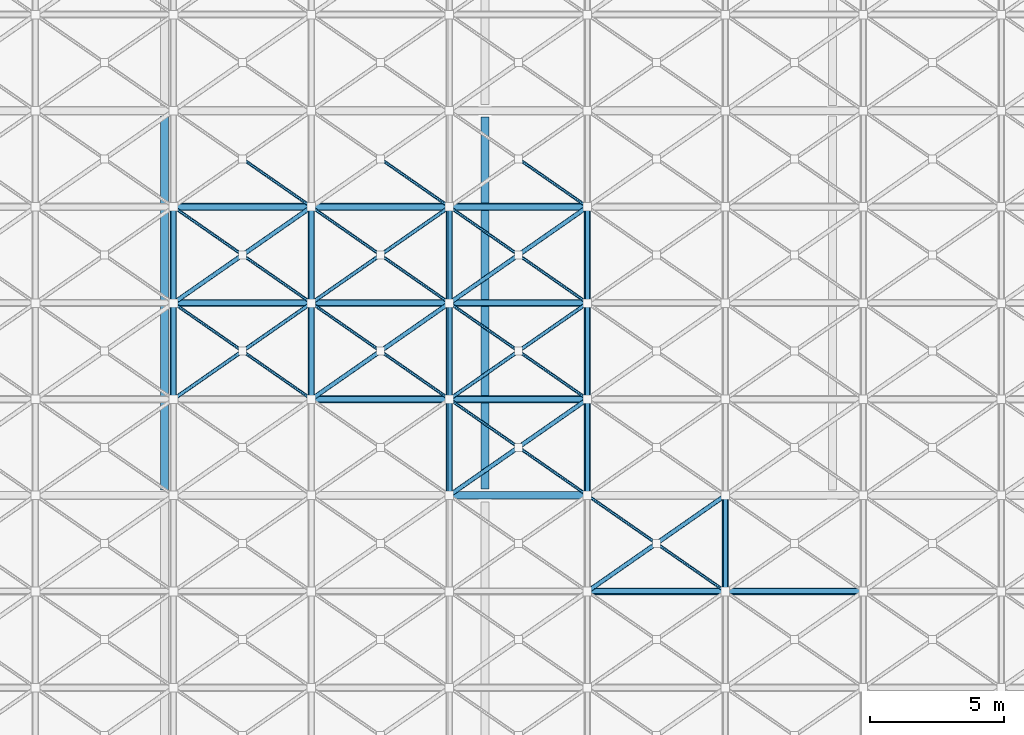
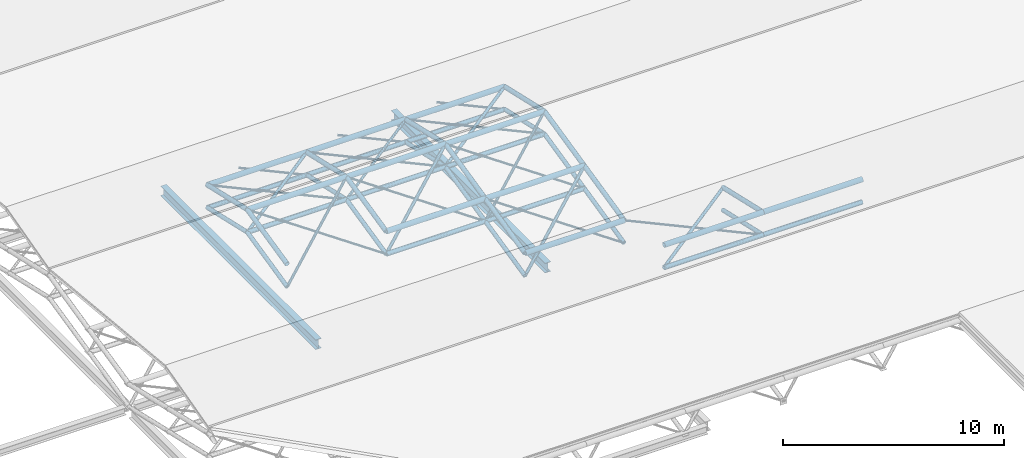
# One storey, part 38 of 110: 70 members, 2 beams.
"""IFC4 building model written with IfcOpenShell, lengths in metres."""

from ifc_helpers import new_model, si_unit, direction, frame, origin, origin_2d, place, context, subcontext, project, spatial, hollow_circle, i_section, extrude, material, material_profile, profile_set, type_object, element, save


model = new_model("IFC4")

# Units and contexts
model_context = context("Model", 3, precision=1e-05, world=origin(), true_north=direction((0.0, 1.0)))
body_context = subcontext(model_context, "Body", "Model", "MODEL_VIEW")
ifc_project = project(units=[si_unit("LENGTHUNIT", "METRE"), si_unit("AREAUNIT", "SQUARE_METRE"), si_unit("VOLUMEUNIT", "CUBIC_METRE"), si_unit("PLANEANGLEUNIT", "RADIAN"), si_unit("MASSUNIT", "GRAM", prefix="KILO")], contexts=[model_context])

# Site, building, storey
site_placement = place(None, origin())
site = spatial("IfcSite", under=ifc_project, at=site_placement, CompositionType="ELEMENT")
building_placement = place(site_placement, origin())
building = spatial("IfcBuilding", under=site, at=building_placement, Name="Tamarisk Ironworks Central Station", CompositionType="ELEMENT")
storey_placement = place(building_placement, frame((0.0, 0.0, 17.39990234375)))
storey = spatial("IfcBuildingStorey", under=building, at=storey_placement, Name="L03", CompositionType="ELEMENT", Elevation=17.39990234375)

# Beams
ifc_material_1 = material(Name="Structural steel S355J2", Category="steel")
ifc_material_profile_1 = material_profile(ifc_material_1, i_section(OverallWidth=0.300048828125, OverallDepth=0.5400390625, WebThickness=0.012451171875, FlangeThickness=0.02392578125, at=origin_2d()), Name="HEA 550")
ifc_profile_set_1 = profile_set([ifc_material_profile_1], Name="Structural steel S355J2")
beam_type = type_object("IfcBeamType", Name="BM-G04", PredefinedType="BEAM", material=ifc_profile_set_1)
beam_1_placement = place(storey_placement, frame((128.0, 36.191162109375, -1.869873046875), z_axis=(0.0, 1.0, 0.0), x_axis=(-1.0, 0.0, 0.0)))
element("IfcBeam", 1, at=beam_1_placement, inside=storey, type_object=beam_type, Name="L03 primary girder Y-0611", PredefinedType="BEAM", context=body_context, shape_type="SweptSolid", body=[
    extrude(i_section(OverallWidth=0.300048828125, OverallDepth=0.5400390625, WebThickness=0.012451171875, FlangeThickness=0.02392578125, at=origin_2d()), origin(), (0.0, 0.0, 1.0), 14.017578125),
])
beam_2_placement = place(storey_placement, frame((140.0, 36.241943359375, -1.869873046875), z_axis=(0.0, 1.0, 0.0), x_axis=(-1.0, 0.0, 0.0)))
element("IfcBeam", 2, at=beam_2_placement, inside=storey, type_object=beam_type, Name="L03 primary girder Y-0614", PredefinedType="BEAM", context=body_context, shape_type="SweptSolid", body=[
    extrude(i_section(OverallWidth=0.300048828125, OverallDepth=0.5400390625, WebThickness=0.012451171875, FlangeThickness=0.02392578125, at=origin_2d()), origin(), (0.0, 0.0, 1.0), 13.916015625),
])

# Members
ifc_material_2 = material(Name="Structural steel S355J2H", Category="steel")
ifc_material_profile_2 = material_profile(ifc_material_2, hollow_circle(Radius=0.136474609375, WallThickness=0.012451171875, at=origin_2d()), Name="CHS 273x12.5")
ifc_profile_set_2 = profile_set([ifc_material_profile_2], Name="Structural steel S355J2H")
member_type_1 = type_object("IfcMemberType", Name="MB-SFC01", PredefinedType="CHORD", material=ifc_profile_set_2)
for number, where, z_axis, x_axis, name in (
    (3, (143.833251953125, 32.39990234375, 0.35498046875), (1.0, 0.0, 0.0), (0.0, 1.0, 0.0), "Train shed space-frame top chord 1092"),
    (4, (149.0, 32.39990234375, 0.35498046875), (1.0, 0.0, 0.0), (0.0, 1.0, 0.0), "Train shed space-frame top chord 1093"),
):
    element("IfcMember", number, at=place(storey_placement, frame(where, z_axis=z_axis, x_axis=x_axis)), inside=storey, type_object=member_type_1, Name=name, PredefinedType="CHORD", context=body_context, shape_type="SweptSolid", body=[
        extrude(hollow_circle(Radius=0.136474609375, WallThickness=0.012451171875, at=origin_2d()), origin(), (0.0, 0.0, 1.0), 5.166748046875),
    ])
member_1_placement = place(storey_placement, frame((138.666748046875, 36.0, -0.469970703125), z_axis=(1.0, 0.0, 0.0), x_axis=(0.0, 1.0, 0.0)))
element("IfcMember", 5, at=member_1_placement, inside=storey, type_object=member_type_1, Name="Train shed space-frame top chord 1103", PredefinedType="CHORD", context=body_context, shape_type="SweptSolid", body=[
    extrude(hollow_circle(Radius=0.136474609375, WallThickness=0.012451171875, at=origin_2d()), origin(), (0.0, 0.0, 1.0), 5.16650390625),
])
member_2_placement = place(storey_placement, frame((133.5, 39.60009765625, 0.35498046875), z_axis=(1.0, 0.0, 0.0), x_axis=(0.0, 1.0, 0.0)))
element("IfcMember", 6, at=member_2_placement, inside=storey, type_object=member_type_1, Name="Train shed space-frame top chord 1350", PredefinedType="CHORD", context=body_context, shape_type="SweptSolid", body=[
    extrude(hollow_circle(Radius=0.136474609375, WallThickness=0.012451171875, at=origin_2d()), origin(), (0.0, 0.0, 1.0), 5.166748046875),
])
member_3_placement = place(storey_placement, frame((138.666748046875, 39.60009765625, 0.35498046875), z_axis=(1.0, 0.0, 0.0), x_axis=(0.0, 1.0, 0.0)))
element("IfcMember", 7, at=member_3_placement, inside=storey, type_object=member_type_1, Name="Train shed space-frame top chord 1351", PredefinedType="CHORD", context=body_context, shape_type="SweptSolid", body=[
    extrude(hollow_circle(Radius=0.136474609375, WallThickness=0.012451171875, at=origin_2d()), origin(), (0.0, 0.0, 1.0), 5.16650390625),
])
for number, where, z_axis, x_axis, name in (
    (8, (128.333251953125, 43.199951171875, 1.18017578125), (1.0, 0.0, 0.0), (0.0, 1.0, 0.0), "Train shed space-frame top chord 1361"),
    (9, (133.5, 43.199951171875, 1.18017578125), (1.0, 0.0, 0.0), (0.0, 1.0, 0.0), "Train shed space-frame top chord 1362"),
):
    element("IfcMember", number, at=place(storey_placement, frame(where, z_axis=z_axis, x_axis=x_axis)), inside=storey, type_object=member_type_1, Name=name, PredefinedType="CHORD", context=body_context, shape_type="SweptSolid", body=[
        extrude(hollow_circle(Radius=0.136474609375, WallThickness=0.012451171875, at=origin_2d()), origin(), (0.0, 0.0, 1.0), 5.166748046875),
    ])
member_4_placement = place(storey_placement, frame((138.666748046875, 43.199951171875, 1.18017578125), z_axis=(1.0, 0.0, 0.0), x_axis=(0.0, 1.0, 0.0)))
element("IfcMember", 10, at=member_4_placement, inside=storey, type_object=member_type_1, Name="Train shed space-frame top chord 1363", PredefinedType="CHORD", context=body_context, shape_type="SweptSolid", body=[
    extrude(hollow_circle(Radius=0.136474609375, WallThickness=0.012451171875, at=origin_2d()), origin(), (0.0, 0.0, 1.0), 5.16650390625),
])
for number, where, z_axis, x_axis, name in (
    (11, (128.333251953125, 46.800048828125, 0.35498046875), (1.0, 0.0, 0.0), (0.0, 1.0, 0.0), "Train shed space-frame top chord 1373"),
    (12, (133.5, 46.800048828125, 0.35498046875), (1.0, 0.0, 0.0), (0.0, 1.0, 0.0), "Train shed space-frame top chord 1374"),
):
    element("IfcMember", number, at=place(storey_placement, frame(where, z_axis=z_axis, x_axis=x_axis)), inside=storey, type_object=member_type_1, Name=name, PredefinedType="CHORD", context=body_context, shape_type="SweptSolid", body=[
        extrude(hollow_circle(Radius=0.136474609375, WallThickness=0.012451171875, at=origin_2d()), origin(), (0.0, 0.0, 1.0), 5.166748046875),
    ])
member_5_placement = place(storey_placement, frame((138.666748046875, 46.800048828125, 0.35498046875), z_axis=(1.0, 0.0, 0.0), x_axis=(0.0, 1.0, 0.0)))
element("IfcMember", 13, at=member_5_placement, inside=storey, type_object=member_type_1, Name="Train shed space-frame top chord 1375", PredefinedType="CHORD", context=body_context, shape_type="SweptSolid", body=[
    extrude(hollow_circle(Radius=0.136474609375, WallThickness=0.012451171875, at=origin_2d()), origin(), (0.0, 0.0, 1.0), 5.16650390625),
])
ifc_material_profile_3 = material_profile(ifc_material_2, hollow_circle(Radius=0.122314453125, WallThickness=0.012451171875, at=origin_2d()), Name="CHS 244.5x12.5")
ifc_profile_set_3 = profile_set([ifc_material_profile_3], Name="Structural steel S355J2H")
member_type_2 = type_object("IfcMemberType", Name="MB-SFC02", PredefinedType="CHORD", material=ifc_profile_set_3)
for number, where, z_axis, x_axis, name in (
    (14, (143.833251953125, 32.39990234375, -0.89501953125), (1.0, 0.0, 0.0), (0.0, 1.0, 0.0), "Train shed space-frame bottom chord 0992"),
    (15, (149.0, 32.39990234375, -0.89501953125), (1.0, 0.0, 0.0), (0.0, 1.0, 0.0), "Train shed space-frame bottom chord 0993"),
):
    element("IfcMember", number, at=place(storey_placement, frame(where, z_axis=z_axis, x_axis=x_axis)), inside=storey, type_object=member_type_2, Name=name, PredefinedType="CHORD", context=body_context, shape_type="SweptSolid", body=[
        extrude(hollow_circle(Radius=0.122314453125, WallThickness=0.012451171875, at=origin_2d()), origin(), (0.0, 0.0, 1.0), 5.166748046875),
    ])
member_6_placement = place(storey_placement, frame((149.0, 32.39990234375, 0.35498046875), z_axis=(0.0, 0.974736516158, -0.223357838607), x_axis=(-1.0, 0.0, 0.0)))
element("IfcMember", 16, at=member_6_placement, inside=storey, type_object=member_type_2, Name="Train shed space-frame top transverse chord 1138", PredefinedType="CHORD", context=body_context, shape_type="SweptSolid", body=[
    extrude(hollow_circle(Radius=0.122314453125, WallThickness=0.012451171875, at=origin_2d()), origin(), (0.0, 0.0, 1.0), 3.693359375),
])
member_7_placement = place(storey_placement, frame((133.5, 39.60009765625, -0.89501953125), z_axis=(1.0, 0.0, 0.0), x_axis=(0.0, 1.0, 0.0)))
element("IfcMember", 17, at=member_7_placement, inside=storey, type_object=member_type_2, Name="Train shed space-frame bottom chord 1262", PredefinedType="CHORD", context=body_context, shape_type="SweptSolid", body=[
    extrude(hollow_circle(Radius=0.122314453125, WallThickness=0.012451171875, at=origin_2d()), origin(), (0.0, 0.0, 1.0), 5.166748046875),
])
member_8_placement = place(storey_placement, frame((138.666748046875, 39.60009765625, -0.89501953125), z_axis=(1.0, 0.0, 0.0), x_axis=(0.0, 1.0, 0.0)))
element("IfcMember", 18, at=member_8_placement, inside=storey, type_object=member_type_2, Name="Train shed space-frame bottom chord 1263", PredefinedType="CHORD", context=body_context, shape_type="SweptSolid", body=[
    extrude(hollow_circle(Radius=0.122314453125, WallThickness=0.012451171875, at=origin_2d()), origin(), (0.0, 0.0, 1.0), 5.16650390625),
])
for number, where, z_axis, x_axis, name in (
    (19, (128.333251953125, 43.199951171875, -0.06982421875), (1.0, 0.0, 0.0), (0.0, 1.0, 0.0), "Train shed space-frame bottom chord 1273"),
    (20, (133.5, 43.199951171875, -0.06982421875), (1.0, 0.0, 0.0), (0.0, 1.0, 0.0), "Train shed space-frame bottom chord 1274"),
):
    element("IfcMember", number, at=place(storey_placement, frame(where, z_axis=z_axis, x_axis=x_axis)), inside=storey, type_object=member_type_2, Name=name, PredefinedType="CHORD", context=body_context, shape_type="SweptSolid", body=[
        extrude(hollow_circle(Radius=0.122314453125, WallThickness=0.012451171875, at=origin_2d()), origin(), (0.0, 0.0, 1.0), 5.166748046875),
    ])
member_9_placement = place(storey_placement, frame((138.666748046875, 43.199951171875, -0.06982421875), z_axis=(1.0, 0.0, 0.0), x_axis=(0.0, 1.0, 0.0)))
element("IfcMember", 21, at=member_9_placement, inside=storey, type_object=member_type_2, Name="Train shed space-frame bottom chord 1275", PredefinedType="CHORD", context=body_context, shape_type="SweptSolid", body=[
    extrude(hollow_circle(Radius=0.122314453125, WallThickness=0.012451171875, at=origin_2d()), origin(), (0.0, 0.0, 1.0), 5.16650390625),
])
for number, where, z_axis, x_axis, name in (
    (22, (128.333251953125, 46.800048828125, -0.89501953125), (1.0, 0.0, 0.0), (0.0, 1.0, 0.0), "Train shed space-frame bottom chord 1285"),
    (23, (133.5, 46.800048828125, -0.89501953125), (1.0, 0.0, 0.0), (0.0, 1.0, 0.0), "Train shed space-frame bottom chord 1286"),
):
    element("IfcMember", number, at=place(storey_placement, frame(where, z_axis=z_axis, x_axis=x_axis)), inside=storey, type_object=member_type_2, Name=name, PredefinedType="CHORD", context=body_context, shape_type="SweptSolid", body=[
        extrude(hollow_circle(Radius=0.122314453125, WallThickness=0.012451171875, at=origin_2d()), origin(), (0.0, 0.0, 1.0), 5.166748046875),
    ])
member_10_placement = place(storey_placement, frame((138.666748046875, 46.800048828125, -0.89501953125), z_axis=(1.0, 0.0, 0.0), x_axis=(0.0, 1.0, 0.0)))
element("IfcMember", 24, at=member_10_placement, inside=storey, type_object=member_type_2, Name="Train shed space-frame bottom chord 1287", PredefinedType="CHORD", context=body_context, shape_type="SweptSolid", body=[
    extrude(hollow_circle(Radius=0.122314453125, WallThickness=0.012451171875, at=origin_2d()), origin(), (0.0, 0.0, 1.0), 5.16650390625),
])
member_11_placement = place(storey_placement, frame((128.333251953125, 39.60009765625, 0.35498046875), z_axis=(0.0, 0.974718823144, 0.223435037113), x_axis=(-1.0, 0.0, 0.0)))
element("IfcMember", 25, at=member_11_placement, inside=storey, type_object=member_type_2, Name="Train shed space-frame top transverse chord 1404", PredefinedType="CHORD", context=body_context, shape_type="SweptSolid", body=[
    extrude(hollow_circle(Radius=0.122314453125, WallThickness=0.012451171875, at=origin_2d()), origin(), (0.0, 0.0, 1.0), 3.693115234375),
])
member_12_placement = place(storey_placement, frame((128.333251953125, 43.199951171875, 1.18017578125), z_axis=(0.0, 0.974722123001, -0.223420641241), x_axis=(-1.0, 0.0, 0.0)))
element("IfcMember", 26, at=member_12_placement, inside=storey, type_object=member_type_2, Name="Train shed space-frame top transverse chord 1405", PredefinedType="CHORD", context=body_context, shape_type="SweptSolid", body=[
    extrude(hollow_circle(Radius=0.122314453125, WallThickness=0.012451171875, at=origin_2d()), origin(), (0.0, 0.0, 1.0), 3.693359375),
])
member_13_placement = place(storey_placement, frame((133.5, 39.60009765625, 0.35498046875), z_axis=(0.0, 0.974718823144, 0.223435037113), x_axis=(-1.0, 0.0, 0.0)))
element("IfcMember", 27, at=member_13_placement, inside=storey, type_object=member_type_2, Name="Train shed space-frame top transverse chord 1408", PredefinedType="CHORD", context=body_context, shape_type="SweptSolid", body=[
    extrude(hollow_circle(Radius=0.122314453125, WallThickness=0.012451171875, at=origin_2d()), origin(), (0.0, 0.0, 1.0), 3.693115234375),
])
for number, where, z_axis, x_axis, name in (
    (28, (133.5, 43.199951171875, 1.18017578125), (0.0, 0.974722123001, -0.223420641241), (-1.0, 0.0, 0.0), "Train shed space-frame top transverse chord 1409"),
    (29, (138.666748046875, 36.0, -0.469970703125), (0.0, 0.974736516158, 0.223357838607), (-1.0, 0.0, 0.0), "Train shed space-frame top transverse chord 1411"),
):
    element("IfcMember", number, at=place(storey_placement, frame(where, z_axis=z_axis, x_axis=x_axis)), inside=storey, type_object=member_type_2, Name=name, PredefinedType="CHORD", context=body_context, shape_type="SweptSolid", body=[
        extrude(hollow_circle(Radius=0.122314453125, WallThickness=0.012451171875, at=origin_2d()), origin(), (0.0, 0.0, 1.0), 3.693359375),
    ])
member_14_placement = place(storey_placement, frame((138.666748046875, 39.60009765625, 0.35498046875), z_axis=(0.0, 0.974718823144, 0.223435037113), x_axis=(-1.0, 0.0, 0.0)))
element("IfcMember", 30, at=member_14_placement, inside=storey, type_object=member_type_2, Name="Train shed space-frame top transverse chord 1412", PredefinedType="CHORD", context=body_context, shape_type="SweptSolid", body=[
    extrude(hollow_circle(Radius=0.122314453125, WallThickness=0.012451171875, at=origin_2d()), origin(), (0.0, 0.0, 1.0), 3.693115234375),
])
for number, where, z_axis, x_axis, name in (
    (31, (138.666748046875, 43.199951171875, 1.18017578125), (0.0, 0.974722123001, -0.223420641241), (-1.0, 0.0, 0.0), "Train shed space-frame top transverse chord 1413"),
    (32, (143.833251953125, 36.0, -0.469970703125), (0.0, 0.974736516158, 0.223357838607), (-1.0, 0.0, 0.0), "Train shed space-frame top transverse chord 1415"),
):
    element("IfcMember", number, at=place(storey_placement, frame(where, z_axis=z_axis, x_axis=x_axis)), inside=storey, type_object=member_type_2, Name=name, PredefinedType="CHORD", context=body_context, shape_type="SweptSolid", body=[
        extrude(hollow_circle(Radius=0.122314453125, WallThickness=0.012451171875, at=origin_2d()), origin(), (0.0, 0.0, 1.0), 3.693359375),
    ])
member_15_placement = place(storey_placement, frame((143.833251953125, 39.60009765625, 0.35498046875), z_axis=(0.0, 0.974718823144, 0.223435037113), x_axis=(-1.0, 0.0, 0.0)))
element("IfcMember", 33, at=member_15_placement, inside=storey, type_object=member_type_2, Name="Train shed space-frame top transverse chord 1416", PredefinedType="CHORD", context=body_context, shape_type="SweptSolid", body=[
    extrude(hollow_circle(Radius=0.122314453125, WallThickness=0.012451171875, at=origin_2d()), origin(), (0.0, 0.0, 1.0), 3.693115234375),
])
member_16_placement = place(storey_placement, frame((143.833251953125, 43.199951171875, 1.18017578125), z_axis=(0.0, 0.974722123001, -0.223420641241), x_axis=(-1.0, 0.0, 0.0)))
element("IfcMember", 34, at=member_16_placement, inside=storey, type_object=member_type_2, Name="Train shed space-frame top transverse chord 1417", PredefinedType="CHORD", context=body_context, shape_type="SweptSolid", body=[
    extrude(hollow_circle(Radius=0.122314453125, WallThickness=0.012451171875, at=origin_2d()), origin(), (0.0, 0.0, 1.0), 3.693359375),
])
ifc_material_profile_4 = material_profile(ifc_material_2, hollow_circle(Radius=0.109619140625, WallThickness=0.010009765625, at=origin_2d()), Name="CHS 219.1x10")
ifc_profile_set_4 = profile_set([ifc_material_profile_4], Name="Structural steel S355J2H")
member_type_3 = type_object("IfcMemberType", Name="MB-SFC03", PredefinedType="CHORD", material=ifc_profile_set_4)
member_17_placement = place(storey_placement, frame((149.0, 32.39990234375, -0.89501953125), z_axis=(0.0, 0.974736516158, -0.223357838607), x_axis=(-1.0, 0.0, 0.0)))
element("IfcMember", 35, at=member_17_placement, inside=storey, type_object=member_type_3, Name="Train shed space-frame transverse chord 1026", PredefinedType="CHORD", context=body_context, shape_type="SweptSolid", body=[
    extrude(hollow_circle(Radius=0.109619140625, WallThickness=0.010009765625, at=origin_2d()), origin(), (0.0, 0.0, 1.0), 3.693359375),
])
member_18_placement = place(storey_placement, frame((128.333251953125, 39.60009765625, -0.89501953125), z_axis=(0.0, 0.974718823144, 0.223435037113), x_axis=(-1.0, 0.0, 0.0)))
element("IfcMember", 36, at=member_18_placement, inside=storey, type_object=member_type_3, Name="Train shed space-frame transverse chord 1304", PredefinedType="CHORD", context=body_context, shape_type="SweptSolid", body=[
    extrude(hollow_circle(Radius=0.109619140625, WallThickness=0.010009765625, at=origin_2d()), origin(), (0.0, 0.0, 1.0), 3.693115234375),
])
member_19_placement = place(storey_placement, frame((128.333251953125, 43.199951171875, -0.06982421875), z_axis=(0.0, 0.974722123001, -0.223420641241), x_axis=(-1.0, 0.0, 0.0)))
element("IfcMember", 37, at=member_19_placement, inside=storey, type_object=member_type_3, Name="Train shed space-frame transverse chord 1305", PredefinedType="CHORD", context=body_context, shape_type="SweptSolid", body=[
    extrude(hollow_circle(Radius=0.109619140625, WallThickness=0.010009765625, at=origin_2d()), origin(), (0.0, 0.0, 1.0), 3.693359375),
])
member_20_placement = place(storey_placement, frame((133.5, 39.60009765625, -0.89501953125), z_axis=(0.0, 0.974718823144, 0.223435037113), x_axis=(-1.0, 0.0, 0.0)))
element("IfcMember", 38, at=member_20_placement, inside=storey, type_object=member_type_3, Name="Train shed space-frame transverse chord 1308", PredefinedType="CHORD", context=body_context, shape_type="SweptSolid", body=[
    extrude(hollow_circle(Radius=0.109619140625, WallThickness=0.010009765625, at=origin_2d()), origin(), (0.0, 0.0, 1.0), 3.693115234375),
])
for number, where, z_axis, x_axis, name in (
    (39, (133.5, 43.199951171875, -0.06982421875), (0.0, 0.974722123001, -0.223420641241), (-1.0, 0.0, 0.0), "Train shed space-frame transverse chord 1309"),
    (40, (138.666748046875, 36.0, -1.719970703125), (0.0, 0.974736516158, 0.223357838607), (-1.0, 0.0, 0.0), "Train shed space-frame transverse chord 1311"),
):
    element("IfcMember", number, at=place(storey_placement, frame(where, z_axis=z_axis, x_axis=x_axis)), inside=storey, type_object=member_type_3, Name=name, PredefinedType="CHORD", context=body_context, shape_type="SweptSolid", body=[
        extrude(hollow_circle(Radius=0.109619140625, WallThickness=0.010009765625, at=origin_2d()), origin(), (0.0, 0.0, 1.0), 3.693359375),
    ])
member_21_placement = place(storey_placement, frame((138.666748046875, 39.60009765625, -0.89501953125), z_axis=(0.0, 0.974718823144, 0.223435037113), x_axis=(-1.0, 0.0, 0.0)))
element("IfcMember", 41, at=member_21_placement, inside=storey, type_object=member_type_3, Name="Train shed space-frame transverse chord 1312", PredefinedType="CHORD", context=body_context, shape_type="SweptSolid", body=[
    extrude(hollow_circle(Radius=0.109619140625, WallThickness=0.010009765625, at=origin_2d()), origin(), (0.0, 0.0, 1.0), 3.693115234375),
])
for number, where, z_axis, x_axis, name in (
    (42, (138.666748046875, 43.199951171875, -0.06982421875), (0.0, 0.974722123001, -0.223420641241), (-1.0, 0.0, 0.0), "Train shed space-frame transverse chord 1313"),
    (43, (143.833251953125, 36.0, -1.719970703125), (0.0, 0.974736516158, 0.223357838607), (-1.0, 0.0, 0.0), "Train shed space-frame transverse chord 1315"),
):
    element("IfcMember", number, at=place(storey_placement, frame(where, z_axis=z_axis, x_axis=x_axis)), inside=storey, type_object=member_type_3, Name=name, PredefinedType="CHORD", context=body_context, shape_type="SweptSolid", body=[
        extrude(hollow_circle(Radius=0.109619140625, WallThickness=0.010009765625, at=origin_2d()), origin(), (0.0, 0.0, 1.0), 3.693359375),
    ])
member_22_placement = place(storey_placement, frame((143.833251953125, 39.60009765625, -0.89501953125), z_axis=(0.0, 0.974718823144, 0.223435037113), x_axis=(-1.0, 0.0, 0.0)))
element("IfcMember", 44, at=member_22_placement, inside=storey, type_object=member_type_3, Name="Train shed space-frame transverse chord 1316", PredefinedType="CHORD", context=body_context, shape_type="SweptSolid", body=[
    extrude(hollow_circle(Radius=0.109619140625, WallThickness=0.010009765625, at=origin_2d()), origin(), (0.0, 0.0, 1.0), 3.693115234375),
])
member_23_placement = place(storey_placement, frame((143.833251953125, 43.199951171875, -0.06982421875), z_axis=(0.0, 0.974722123001, -0.223420641241), x_axis=(-1.0, 0.0, 0.0)))
element("IfcMember", 45, at=member_23_placement, inside=storey, type_object=member_type_3, Name="Train shed space-frame transverse chord 1317", PredefinedType="CHORD", context=body_context, shape_type="SweptSolid", body=[
    extrude(hollow_circle(Radius=0.109619140625, WallThickness=0.010009765625, at=origin_2d()), origin(), (0.0, 0.0, 1.0), 3.693359375),
])
ifc_material_profile_5 = material_profile(ifc_material_2, hollow_circle(Radius=0.084228515625, WallThickness=0.010009765625, at=origin_2d()), Name="CHS 168.3x10")
ifc_profile_set_5 = profile_set([ifc_material_profile_5], Name="Structural steel S355J2H")
member_type_4 = type_object("IfcMemberType", Name="MB-SFD01", PredefinedType="BRACE", material=ifc_profile_set_5)
for number, where, z_axis, x_axis, name in (
    (46, (143.833251953125, 32.39990234375, -0.89501953125), (0.818607749421, 0.570391242875, 0.067343764671), (-0.571689073201, 0.82047035509, 0.0), "Train shed space-frame diagonal 1209"),
    (47, (128.333251953125, 43.199951171875, -0.06982421875), (0.818609881232, 0.570392728283, 0.067305258864), (-0.571689073201, 0.82047035509, 0.0), "Train shed space-frame diagonal 1467"),
):
    element("IfcMember", number, at=place(storey_placement, frame(where, z_axis=z_axis, x_axis=x_axis)), inside=storey, type_object=member_type_4, Name=name, PredefinedType="BRACE", context=body_context, shape_type="SweptSolid", body=[
        extrude(hollow_circle(Radius=0.084228515625, WallThickness=0.010009765625, at=origin_2d()), origin(), (0.0, 0.0, 1.0), 6.3115234375),
    ])
member_24_placement = place(storey_placement, frame((133.5, 39.60009765625, -0.89501953125), z_axis=(0.779264964314, 0.542941071625, 0.312987392934), x_axis=(-0.57166297408, 0.820488539875, 0.0)))
element("IfcMember", 48, at=member_24_placement, inside=storey, type_object=member_type_4, Name="Train shed space-frame diagonal 1473", PredefinedType="BRACE", context=body_context, shape_type="SweptSolid", body=[
    extrude(hollow_circle(Radius=0.084228515625, WallThickness=0.010009765625, at=origin_2d()), origin(), (0.0, 0.0, 1.0), 6.63037109375),
])
member_25_placement = place(storey_placement, frame((138.666748046875, 36.0, -1.719970703125), z_axis=(0.779243902426, 0.542988875587, 0.312956900421), x_axis=(-0.571707258436, 0.820457683645, 0.0)))
element("IfcMember", 49, at=member_25_placement, inside=storey, type_object=member_type_4, Name="Train shed space-frame diagonal 1479", PredefinedType="BRACE", context=body_context, shape_type="SweptSolid", body=[
    extrude(hollow_circle(Radius=0.084228515625, WallThickness=0.010009765625, at=origin_2d()), origin(), (0.0, 0.0, 1.0), 6.630126953125),
])
member_26_placement = place(storey_placement, frame((138.666748046875, 43.199951171875, -0.06982421875), z_axis=(0.81859712056, 0.570410790085, 0.067307390123), x_axis=(-0.571707258436, 0.820457683645, 0.0)))
element("IfcMember", 50, at=member_26_placement, inside=storey, type_object=member_type_4, Name="Train shed space-frame diagonal 1483", PredefinedType="BRACE", context=body_context, shape_type="SweptSolid", body=[
    extrude(hollow_circle(Radius=0.084228515625, WallThickness=0.010009765625, at=origin_2d()), origin(), (0.0, 0.0, 1.0), 6.3115234375),
])
ifc_material_profile_6 = material_profile(ifc_material_2, hollow_circle(Radius=0.06982421875, WallThickness=0.008056640625, at=origin_2d()), Name="CHS 139.7x8")
ifc_profile_set_6 = profile_set([ifc_material_profile_6], Name="Structural steel S355J2H")
member_type_5 = type_object("IfcMemberType", Name="MB-SFD02", PredefinedType="BRACE", material=ifc_profile_set_6)
member_27_placement = place(storey_placement, frame((128.333251953125, 39.60009765625, -0.89501953125), z_axis=(0.779264964314, 0.542941071625, 0.312987392934), x_axis=(-0.57166297408, 0.820488539875, 0.0)))
element("IfcMember", 51, at=member_27_placement, inside=storey, type_object=member_type_5, Name="Train shed space-frame diagonal 1465", PredefinedType="BRACE", context=body_context, shape_type="SweptSolid", body=[
    extrude(hollow_circle(Radius=0.06982421875, WallThickness=0.008056640625, at=origin_2d()), origin(), (0.0, 0.0, 1.0), 6.63037109375),
])
member_28_placement = place(storey_placement, frame((133.5, 43.199951171875, -0.06982421875), z_axis=(0.818609881232, 0.570392728283, 0.067305258864), x_axis=(-0.571689073201, 0.82047035509, 0.0)))
element("IfcMember", 52, at=member_28_placement, inside=storey, type_object=member_type_5, Name="Train shed space-frame diagonal 1475", PredefinedType="BRACE", context=body_context, shape_type="SweptSolid", body=[
    extrude(hollow_circle(Radius=0.06982421875, WallThickness=0.008056640625, at=origin_2d()), origin(), (0.0, 0.0, 1.0), 6.3115234375),
])
member_29_placement = place(storey_placement, frame((138.666748046875, 39.60009765625, -0.89501953125), z_axis=(0.779250501976, 0.54295665115, 0.31299637401), x_axis=(-0.571681159291, 0.820475869305, 0.0)))
element("IfcMember", 53, at=member_29_placement, inside=storey, type_object=member_type_5, Name="Train shed space-frame diagonal 1481", PredefinedType="BRACE", context=body_context, shape_type="SweptSolid", body=[
    extrude(hollow_circle(Radius=0.06982421875, WallThickness=0.008056640625, at=origin_2d()), origin(), (0.0, 0.0, 1.0), 6.630126953125),
])
ifc_material_profile_7 = material_profile(ifc_material_2, hollow_circle(Radius=0.05712890625, WallThickness=0.00634765625, at=origin_2d()), Name="CHS 114.3x6.3")
ifc_profile_set_7 = profile_set([ifc_material_profile_7], Name="Structural steel S355J2H")
member_type_6 = type_object("IfcMemberType", Name="MB-SFD03", PredefinedType="BRACE", material=ifc_profile_set_7)
for number, where, z_axis, x_axis, name in (
    (54, (149.0, 32.39990234375, -0.89501953125), (-0.818584353535, 0.570418740152, 0.06739523003), (-0.571718624339, -0.820449763596, 0.0), "Train shed space-frame split counter-diagonal lower 1210"),
    (55, (146.37158203125, 34.2314453125, -0.6787109375), (-0.81862545828, 0.570368646704, 0.067319877544), (-0.571665501983, -0.820486778591, 0.0), "Train shed space-frame split counter-diagonal upper 1210"),
):
    element("IfcMember", number, at=place(storey_placement, frame(where, z_axis=z_axis, x_axis=x_axis)), inside=storey, type_object=member_type_6, Name=name, PredefinedType="BRACE", context=body_context, shape_type="SweptSolid", body=[
        extrude(hollow_circle(Radius=0.05712890625, WallThickness=0.00634765625, at=origin_2d()), origin(), (0.0, 0.0, 1.0), 3.100830078125),
    ])
for number, where, z_axis, x_axis, name in (
    (56, (133.5, 39.60009765625, -0.89501953125), (-0.779233692289, 0.542954759164, 0.313041502525), (-0.571688120068, -0.820471019216, 0.0), "Train shed space-frame split counter-diagonal lower 1466"),
    (57, (130.873779296875, 41.429931640625, 0.159912109375), (-0.779281371438, 0.542935800781, 0.31295568434), (-0.571651135352, -0.820496788203, 0.0), "Train shed space-frame split counter-diagonal upper 1466"),
):
    element("IfcMember", number, at=place(storey_placement, frame(where, z_axis=z_axis, x_axis=x_axis)), inside=storey, type_object=member_type_6, Name=name, PredefinedType="BRACE", context=body_context, shape_type="SweptSolid", body=[
        extrude(hollow_circle(Radius=0.05712890625, WallThickness=0.00634765625, at=origin_2d()), origin(), (0.0, 0.0, 1.0), 3.260009765625),
    ])
for number, where, z_axis, x_axis, name in (
    (58, (133.5, 43.199951171875, -0.06982421875), (-0.81862545828, 0.570368646704, 0.067319877544), (-0.571665501983, -0.820486778591, 0.0), "Train shed space-frame split counter-diagonal lower 1468"),
    (59, (130.87158203125, 45.031494140625, 0.146240234375), (-0.81862545828, 0.570368646704, 0.067319877544), (-0.571665501983, -0.820486778591, 0.0), "Train shed space-frame split counter-diagonal upper 1468"),
    (60, (133.5, 46.800048828125, -0.89501953125), (-0.818621116616, 0.570365621695, 0.067398256788), (-0.571665501983, -0.820486778591, 0.0), "Train shed space-frame split counter-diagonal lower 1470"),
):
    element("IfcMember", number, at=place(storey_placement, frame(where, z_axis=z_axis, x_axis=x_axis)), inside=storey, type_object=member_type_6, Name=name, PredefinedType="BRACE", context=body_context, shape_type="SweptSolid", body=[
        extrude(hollow_circle(Radius=0.05712890625, WallThickness=0.00634765625, at=origin_2d()), origin(), (0.0, 0.0, 1.0), 3.100830078125),
    ])
member_30_placement = place(storey_placement, frame((138.666748046875, 39.60009765625, -0.89501953125), z_axis=(-0.779263106243, 0.542923075174, 0.313023235066), x_axis=(-0.571651135352, -0.820496788203, 0.0)))
element("IfcMember", 61, at=member_30_placement, inside=storey, type_object=member_type_6, Name="Train shed space-frame split counter-diagonal lower 1474", PredefinedType="BRACE", context=body_context, shape_type="SweptSolid", body=[
    extrude(hollow_circle(Radius=0.05712890625, WallThickness=0.00634765625, at=origin_2d()), origin(), (0.0, 0.0, 1.0), 3.26025390625),
])
member_31_placement = place(storey_placement, frame((136.040283203125, 41.429931640625, 0.159912109375), z_axis=(-0.779251958926, 0.542967486998, 0.312973948712), x_axis=(-0.571688120068, -0.820471019216, 0.0)))
element("IfcMember", 62, at=member_31_placement, inside=storey, type_object=member_type_6, Name="Train shed space-frame split counter-diagonal upper 1474", PredefinedType="BRACE", context=body_context, shape_type="SweptSolid", body=[
    extrude(hollow_circle(Radius=0.05712890625, WallThickness=0.00634765625, at=origin_2d()), origin(), (0.0, 0.0, 1.0), 3.260009765625),
])
for number, where, z_axis, x_axis, name in (
    (63, (138.666748046875, 43.199951171875, -0.06982421875), (-0.81862545828, 0.570368646704, 0.067319877544), (-0.571665501983, -0.820486778591, 0.0), "Train shed space-frame split counter-diagonal lower 1476"),
    (64, (136.038330078125, 45.031494140625, 0.146240234375), (-0.81862545828, 0.570368646704, 0.067319877544), (-0.571665501983, -0.820486778591, 0.0), "Train shed space-frame split counter-diagonal upper 1476"),
    (65, (138.666748046875, 46.800048828125, -0.89501953125), (-0.818621116616, 0.570365621695, 0.067398256788), (-0.571665501983, -0.820486778591, 0.0), "Train shed space-frame split counter-diagonal lower 1478"),
):
    element("IfcMember", number, at=place(storey_placement, frame(where, z_axis=z_axis, x_axis=x_axis)), inside=storey, type_object=member_type_6, Name=name, PredefinedType="BRACE", context=body_context, shape_type="SweptSolid", body=[
        extrude(hollow_circle(Radius=0.05712890625, WallThickness=0.00634765625, at=origin_2d()), origin(), (0.0, 0.0, 1.0), 3.100830078125),
    ])
for number, where, z_axis, x_axis, name in (
    (66, (143.833251953125, 36.0, -1.719970703125), (-0.779251958926, 0.542967486998, 0.312973948712), (-0.571688120068, -0.820471019216, 0.0), "Train shed space-frame split counter-diagonal lower 1480"),
    (67, (141.20703125, 37.829833984375, -0.665283203125), (-0.779220271205, 0.543020296637, 0.312961221852), (-0.571741198525, -0.820434032637, 0.0), "Train shed space-frame split counter-diagonal upper 1480"),
    (68, (143.833251953125, 39.60009765625, -0.89501953125), (-0.779233692289, 0.542954759164, 0.313041502525), (-0.571688120068, -0.820471019216, 0.0), "Train shed space-frame split counter-diagonal lower 1482"),
    (69, (141.20703125, 41.429931640625, 0.159912109375), (-0.779251958926, 0.542967486998, 0.312973948712), (-0.571688120068, -0.820471019216, 0.0), "Train shed space-frame split counter-diagonal upper 1482"),
):
    element("IfcMember", number, at=place(storey_placement, frame(where, z_axis=z_axis, x_axis=x_axis)), inside=storey, type_object=member_type_6, Name=name, PredefinedType="BRACE", context=body_context, shape_type="SweptSolid", body=[
        extrude(hollow_circle(Radius=0.05712890625, WallThickness=0.00634765625, at=origin_2d()), origin(), (0.0, 0.0, 1.0), 3.260009765625),
    ])
for number, where, z_axis, x_axis, name in (
    (70, (143.833251953125, 43.199951171875, -0.06982421875), (-0.81862545828, 0.570368646704, 0.067319877544), (-0.571665501983, -0.820486778591, 0.0), "Train shed space-frame split counter-diagonal lower 1484"),
    (71, (141.205078125, 45.031494140625, 0.146240234375), (-0.81862545828, 0.570368646704, 0.067319877544), (-0.571665501983, -0.820486778591, 0.0), "Train shed space-frame split counter-diagonal upper 1484"),
    (72, (143.833251953125, 46.800048828125, -0.89501953125), (-0.818621116616, 0.570365621695, 0.067398256788), (-0.571665501983, -0.820486778591, 0.0), "Train shed space-frame split counter-diagonal lower 1486"),
):
    element("IfcMember", number, at=place(storey_placement, frame(where, z_axis=z_axis, x_axis=x_axis)), inside=storey, type_object=member_type_6, Name=name, PredefinedType="BRACE", context=body_context, shape_type="SweptSolid", body=[
        extrude(hollow_circle(Radius=0.05712890625, WallThickness=0.00634765625, at=origin_2d()), origin(), (0.0, 0.0, 1.0), 3.100830078125),
    ])

save(model, "model.ifc")
